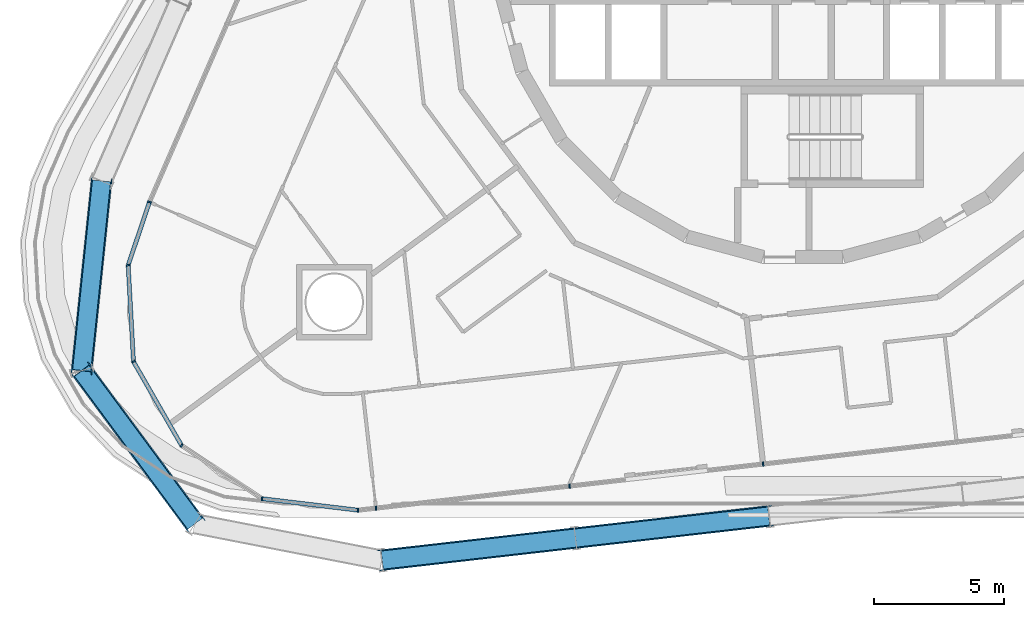
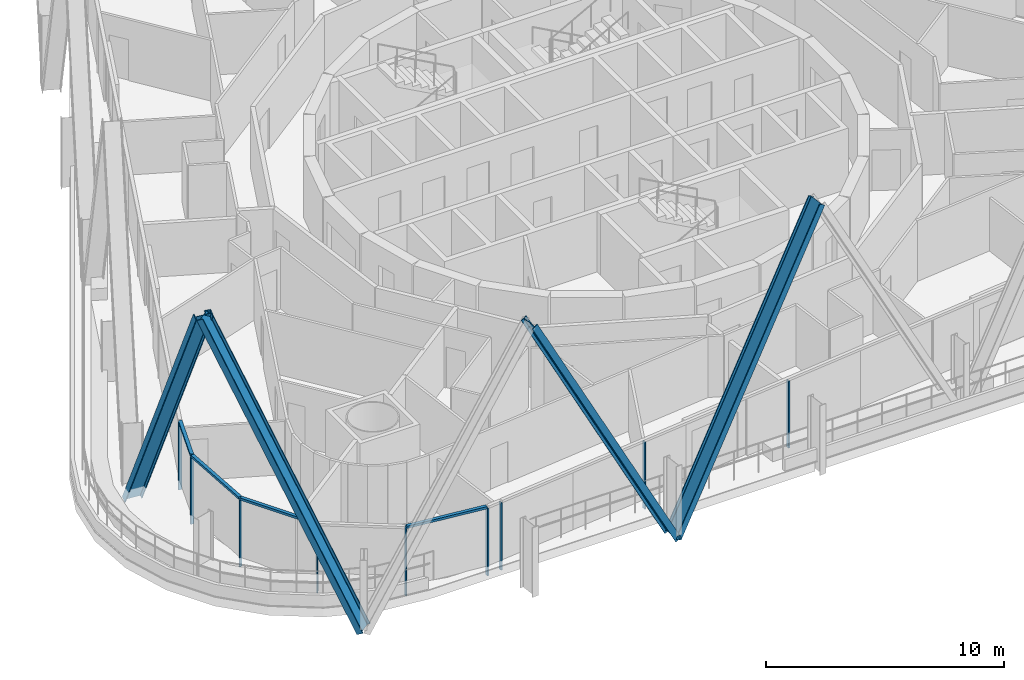
# One storey, part 3 of 32: 17 members, 2 elements without a shape of their own.
"""IFC4 building model written with IfcOpenShell, lengths in metres."""

from ifc_helpers import new_model, si_unit, direction, frame, origin, origin_2d, place, context, subcontext, project, spatial, rectangle, i_section, extrude, material, layer, layer_set, material_profile, profile_set, type_object, element, aggregate, save


model = new_model("IFC4")

# Units and contexts
model_context = context("Model", 3, precision=1e-05, world=origin(), true_north=direction((0.0, 1.0)))
body_context = subcontext(model_context, "Body", "Model", "MODEL_VIEW")
ifc_project = project(units=[si_unit("LENGTHUNIT", "METRE"), si_unit("AREAUNIT", "SQUARE_METRE"), si_unit("VOLUMEUNIT", "CUBIC_METRE"), si_unit("PLANEANGLEUNIT", "RADIAN"), si_unit("MASSUNIT", "GRAM", prefix="KILO")], contexts=[model_context])

# Site, building, storey
site_placement = place(None, origin())
site = spatial("IfcSite", under=ifc_project, at=site_placement, CompositionType="ELEMENT")
building_placement = place(site_placement, origin())
building = spatial("IfcBuilding", under=site, at=building_placement, Name="Spindle Arch Residences", CompositionType="ELEMENT")
storey_placement = place(building_placement, frame((0.0, 0.0, 76.699951171875)))
storey = spatial("IfcBuildingStorey", under=building, at=storey_placement, Name="L17", CompositionType="ELEMENT", Elevation=76.699951171875)

# Curtain wall, members
ifc_material_1 = material(Name="Aluminium bronze unitised frame with tinted glass", Category="aluminium")
ifc_layer_1 = layer(ifc_material_1, 0.159912109375)
ifc_layer_set_1 = layer_set([ifc_layer_1], Name="CW-D corner wall on the fillet arcs")
curtain_wall_type_1 = type_object("IfcCurtainWallType", Name="CW-D corner wall on the fillet arcs", PredefinedType="NOTDEFINED", material=ifc_layer_set_1)
curtain_wall_1_placement = place(storey_placement, origin())
curtain_wall_1 = element("IfcCurtainWall", 1, at=curtain_wall_1_placement, inside=storey, type_object=curtain_wall_type_1, Name="CW-D L17 run 5", PredefinedType="NOTDEFINED")
ifc_material_2 = material(Name="Aluminium bronze anodised mullion", Category="aluminium")
ifc_material_profile_1 = material_profile(ifc_material_2, rectangle(XDim=0.159912109375, YDim=0.06005859375, at=origin_2d()), Name="MU 60x160")
ifc_profile_set_1 = profile_set([ifc_material_profile_1], Name="Aluminium bronze anodised mullion")
member_type_1 = type_object("IfcMemberType", Name="Bronze mullion 60x160", PredefinedType="MULLION", material=ifc_profile_set_1)
member_1_placement = place(storey_placement, frame((-25.22900390625, -9.527099609375, -0.449951171875), z_axis=(0.0, 0.0, 1.0), x_axis=(0.947509671237, -0.319727106941, 0.0)))
member_1 = element("IfcMember", 2, at=member_1_placement, type_object=member_type_1, Name="CW-D mullion 00", PredefinedType="MULLION", context=body_context, shape_type="SweptSolid", body=[
    extrude(rectangle(XDim=0.159912109375, YDim=0.06005859375, at=origin_2d()), origin(), (0.0, 0.0, 1.0), 3.449951171875),
])
member_2_placement = place(storey_placement, frame((-26.052001953125, -11.96630859375, -0.449951171875), z_axis=(0.0, 0.0, 1.0), x_axis=(0.998473071057, 0.055240622495, 0.0)))
member_2 = element("IfcMember", 3, at=member_2_placement, type_object=member_type_1, Name="CW-D mullion 01", PredefinedType="MULLION", context=body_context, shape_type="SweptSolid", body=[
    extrude(rectangle(XDim=0.159912109375, YDim=0.06005859375, at=origin_2d()), origin(), (0.0, 0.0, 1.0), 3.449951171875),
])
member_3_placement = place(storey_placement, frame((-25.84619140625, -15.687255859375, -0.449951171875), z_axis=(0.0, 0.0, 1.0), x_axis=(0.867476179247, 0.497478721595, 0.0)))
member_3 = element("IfcMember", 4, at=member_3_placement, type_object=member_type_1, Name="CW-D mullion 02", PredefinedType="MULLION", context=body_context, shape_type="SweptSolid", body=[
    extrude(rectangle(XDim=0.159912109375, YDim=0.06005859375, at=origin_2d()), origin(), (0.0, 0.0, 1.0), 3.449951171875),
])
member_4_placement = place(storey_placement, frame((-23.9921875, -18.920166015625, -0.449951171875), z_axis=(0.0, 0.0, 1.0), x_axis=(0.551936987903, 0.833885820352, 0.0)))
member_4 = element("IfcMember", 5, at=member_4_placement, type_object=member_type_1, Name="CW-D mullion 03", PredefinedType="MULLION", context=body_context, shape_type="SweptSolid", body=[
    extrude(rectangle(XDim=0.159912109375, YDim=0.06005859375, at=origin_2d()), origin(), (0.0, 0.0, 1.0), 3.449951171875),
])
member_5_placement = place(storey_placement, frame((-20.884521484375, -20.97705078125, -0.449951171875), z_axis=(0.0, 0.0, 1.0), x_axis=(0.118981636756, 0.992896454881, 0.0)))
member_5 = element("IfcMember", 6, at=member_5_placement, type_object=member_type_1, Name="CW-D mullion 04", PredefinedType="MULLION", context=body_context, shape_type="SweptSolid", body=[
    extrude(rectangle(XDim=0.159912109375, YDim=0.06005859375, at=origin_2d()), origin(), (0.0, 0.0, 1.0), 3.449951171875),
])
member_6_placement = place(storey_placement, frame((-17.18408203125, -21.42041015625, -0.449951171875), z_axis=(0.0, 0.0, 1.0), x_axis=(-0.113203213768, 0.993571855677, 0.0)))
member_6 = element("IfcMember", 7, at=member_6_placement, type_object=member_type_1, Name="CW-D mullion 05", PredefinedType="MULLION", context=body_context, shape_type="SweptSolid", body=[
    extrude(rectangle(XDim=0.159912109375, YDim=0.06005859375, at=origin_2d()), origin(), (0.0, 0.0, 1.0), 3.449951171875),
])

ifc_material_3 = material(Name="Aluminium bronze unitised frame with tinted glass", Category="aluminium")
ifc_layer_2 = layer(ifc_material_3, 0.159912109375)
ifc_layer_set_2 = layer_set([ifc_layer_2], Name="CW-C typical residential unitised wall")
curtain_wall_type_2 = type_object("IfcCurtainWallType", Name="CW-C typical residential unitised wall", PredefinedType="NOTDEFINED", material=ifc_layer_set_2)
curtain_wall_2_placement = place(storey_placement, origin())
curtain_wall_2 = element("IfcCurtainWall", 8, at=curtain_wall_2_placement, inside=storey, type_object=curtain_wall_type_2, Name="CW-C L17 run 6", PredefinedType="NOTDEFINED")
member_7_placement = place(storey_placement, frame((-16.487060546875, -21.341064453125, -0.449951171875), z_axis=(0.0, 0.0, 1.0), x_axis=(-0.113203213768, 0.993571855677, 0.0)))
member_7 = element("IfcMember", 9, at=member_7_placement, type_object=member_type_1, Name="CW-C mullion 21", PredefinedType="MULLION", context=body_context, shape_type="SweptSolid", body=[
    extrude(rectangle(XDim=0.159912109375, YDim=0.06005859375, at=origin_2d()), origin(), (0.0, 0.0, 1.0), 3.449951171875),
])
member_8_placement = place(storey_placement, frame((-9.0166015625, -20.489990234375, -0.449951171875), z_axis=(0.0, 0.0, 1.0), x_axis=(-0.113203213768, 0.993571855677, 0.0)))
member_8 = element("IfcMember", 10, at=member_8_placement, type_object=member_type_1, Name="CW-C mullion 22", PredefinedType="MULLION", context=body_context, shape_type="SweptSolid", body=[
    extrude(rectangle(XDim=0.159912109375, YDim=0.06005859375, at=origin_2d()), origin(), (0.0, 0.0, 1.0), 3.449951171875),
])
member_9_placement = place(storey_placement, frame((-1.546142578125, -19.638671875, -0.449951171875), z_axis=(0.0, 0.0, 1.0), x_axis=(-0.113203213768, 0.993571855677, 0.0)))
member_9 = element("IfcMember", 11, at=member_9_placement, type_object=member_type_1, Name="CW-C mullion 23", PredefinedType="MULLION", context=body_context, shape_type="SweptSolid", body=[
    extrude(rectangle(XDim=0.159912109375, YDim=0.06005859375, at=origin_2d()), origin(), (0.0, 0.0, 1.0), 3.449951171875),
])
aggregate(curtain_wall_2, [member_7, member_8, member_9])

# Member
ifc_material_4 = material(Name="Aluminium bronze anodised transom", Category="aluminium")
ifc_material_profile_2 = material_profile(ifc_material_4, rectangle(XDim=0.159912109375, YDim=0.1201171875, at=origin_2d()), Name="TR 120x160")
ifc_profile_set_2 = profile_set([ifc_material_profile_2], Name="Aluminium bronze anodised transom")
member_type_2 = type_object("IfcMemberType", Name="Bronze transom 120x160", PredefinedType="USERDEFINED", material=ifc_profile_set_2)
member_10_placement = place(storey_placement, frame((-25.238525390625, -9.5556640625, 3.06005859375), z_axis=(-0.319779733892, -0.947491911201, 0.0), x_axis=(0.947491911201, -0.319779733892, 0.0)))
member_10 = element("IfcMember", 12, at=member_10_placement, type_object=member_type_2, Name="CW-D transom 00", ObjectType="TRANSOM", PredefinedType="USERDEFINED", context=body_context, shape_type="SweptSolid", body=[
    extrude(rectangle(XDim=0.159912109375, YDim=0.1201171875, at=origin_2d()), origin(), (0.0, 0.0, 1.0), 2.51416015625),
])

member_11_placement = place(storey_placement, frame((-26.05029296875, -11.99609375, 3.06005859375), z_axis=(0.055197130558, -0.998475476303, 0.0), x_axis=(0.998475476303, 0.055197130558, 0.0)))
member_11 = element("IfcMember", 13, at=member_11_placement, type_object=member_type_2, Name="CW-D transom 01", ObjectType="TRANSOM", PredefinedType="USERDEFINED", context=body_context, shape_type="SweptSolid", body=[
    extrude(rectangle(XDim=0.159912109375, YDim=0.1201171875, at=origin_2d()), origin(), (0.0, 0.0, 1.0), 3.666748046875),
])

member_12_placement = place(storey_placement, frame((-25.831298828125, -15.71337890625, 3.06005859375), z_axis=(0.497515065253, -0.867455335937, 0.0), x_axis=(0.867455335937, 0.497515065253, 0.0)))
member_12 = element("IfcMember", 14, at=member_12_placement, type_object=member_type_2, Name="CW-D transom 02", ObjectType="TRANSOM", PredefinedType="USERDEFINED", context=body_context, shape_type="SweptSolid", body=[
    extrude(rectangle(XDim=0.159912109375, YDim=0.1201171875, at=origin_2d()), origin(), (0.0, 0.0, 1.0), 3.666748046875),
])

member_13_placement = place(storey_placement, frame((-20.854736328125, -20.980712890625, 3.06005859375), z_axis=(0.992896987084, -0.118977195462, 0.0), x_axis=(0.118977195462, 0.992896987084, 0.0)))
member_13 = element("IfcMember", 15, at=member_13_placement, type_object=member_type_2, Name="CW-D transom 04", ObjectType="TRANSOM", PredefinedType="USERDEFINED", context=body_context, shape_type="SweptSolid", body=[
    extrude(rectangle(XDim=0.159912109375, YDim=0.1201171875, at=origin_2d()), origin(), (0.0, 0.0, 1.0), 3.6669921875),
])

aggregate(curtain_wall_1, [member_1, member_10, member_2, member_11, member_3, member_12, member_4, member_5, member_13, member_6])

# Members
ifc_material_5 = material(Name="Steel S460ML, intumescent coating R 240", Category="steel")
ifc_material_profile_3 = material_profile(ifc_material_5, i_section(OverallWidth=0.302978515625, OverallDepth=0.81396484375, WebThickness=0.02099609375, FlangeThickness=0.0400390625, FilletRadius=0.030029296875, at=origin_2d()), Name="HEM 800")
ifc_profile_set_3 = profile_set([ifc_material_profile_3], Name="Steel S460ML, intumescent coating R 240")
member_type_3 = type_object("IfcMemberType", Name="Diagrid diagonal HEM 800", PredefinedType="BRACE", material=ifc_profile_set_3)
member_14_placement = place(storey_placement, frame((-27.081298828125, -8.7216796875, -0.699951171875), z_axis=(-0.048209652511, -0.460705894599, 0.886242578579), x_axis=(0.092235471236, 0.881429819062, 0.463221428599)))
element("IfcMember", 16, at=member_14_placement, inside=storey, type_object=member_type_3, Name="Diagrid diagonal 2.1.19", PredefinedType="BRACE", context=body_context, shape_type="SweptSolid", body=[
    extrude(i_section(OverallWidth=0.302978515625, OverallDepth=0.81396484375, WebThickness=0.02099609375, FlangeThickness=0.0400390625, FilletRadius=0.030029296875, at=origin_2d()), origin(), (0.0, 0.0, 1.0), 15.8759765625),
])
member_15_placement = place(storey_placement, frame((-23.47705078125, -21.94140625, -0.699951171875), z_axis=(-0.275295916761, 0.372060170439, 0.886444238397), x_axis=(0.527259748452, -0.712587219539, 0.462835405098)))
element("IfcMember", 17, at=member_15_placement, inside=storey, type_object=member_type_3, Name="Diagrid diagonal 2.1.20", PredefinedType="BRACE", context=body_context, shape_type="SweptSolid", body=[
    extrude(i_section(OverallWidth=0.302978515625, OverallDepth=0.81396484375, WebThickness=0.02099609375, FlangeThickness=0.0400390625, FilletRadius=0.030029296875, at=origin_2d()), origin(), (0.0, 0.0, 1.0), 15.87255859375),
])
for number, where, z_axis, x_axis, name in (
    (18, (-8.7880859375, -22.4970703125, -0.699951171875), (-0.46827861339, -0.053348777616, 0.881968847618), (0.876300441362, 0.099832783378, 0.47130770398), "Diagrid diagonal 2.1.22"),
    (19, (-8.7880859375, -22.4970703125, -0.699951171875), (0.468290178732, 0.053363655335, 0.881961806879), (-0.87629059176, -0.099857035734, 0.47132087924), "Diagrid diagonal 2.1.23"),
):
    element("IfcMember", number, at=place(storey_placement, frame(where, z_axis=z_axis, x_axis=x_axis)), inside=storey, type_object=member_type_3, Name=name, PredefinedType="BRACE", context=body_context, shape_type="SweptSolid", body=[
        extrude(i_section(OverallWidth=0.302978515625, OverallDepth=0.81396484375, WebThickness=0.02099609375, FlangeThickness=0.0400390625, FilletRadius=0.030029296875, at=origin_2d()), origin(), (0.0, 0.0, 1.0), 15.953125),
    ])

save(model, "model.ifc")
